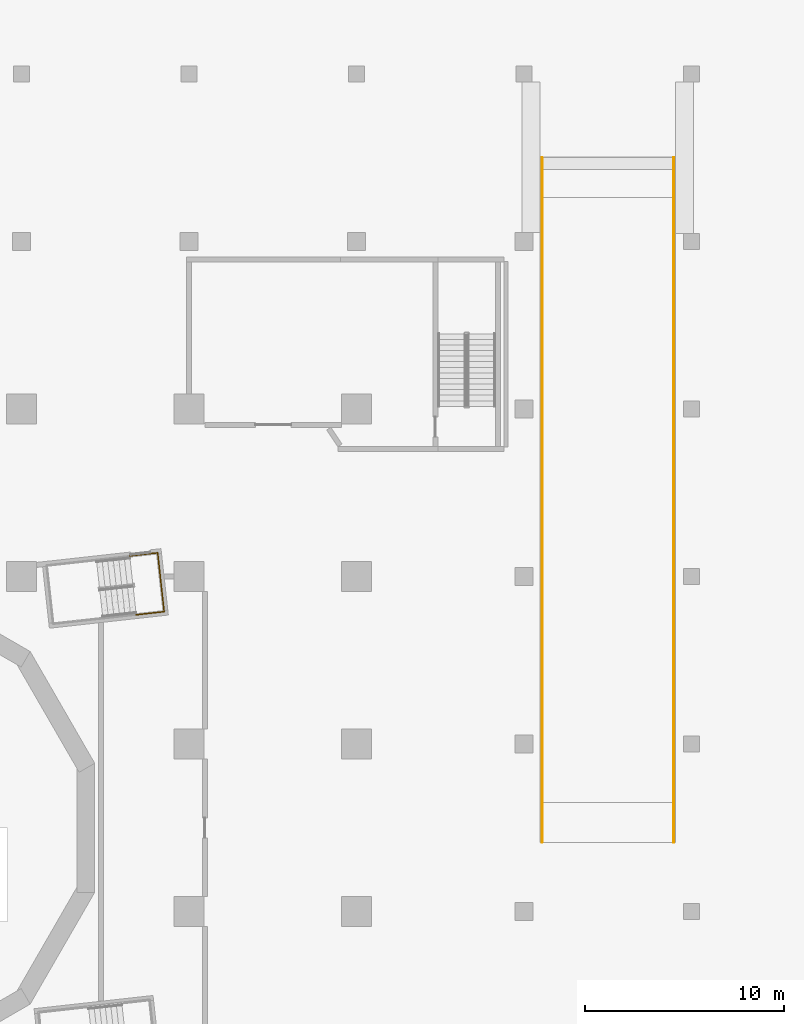
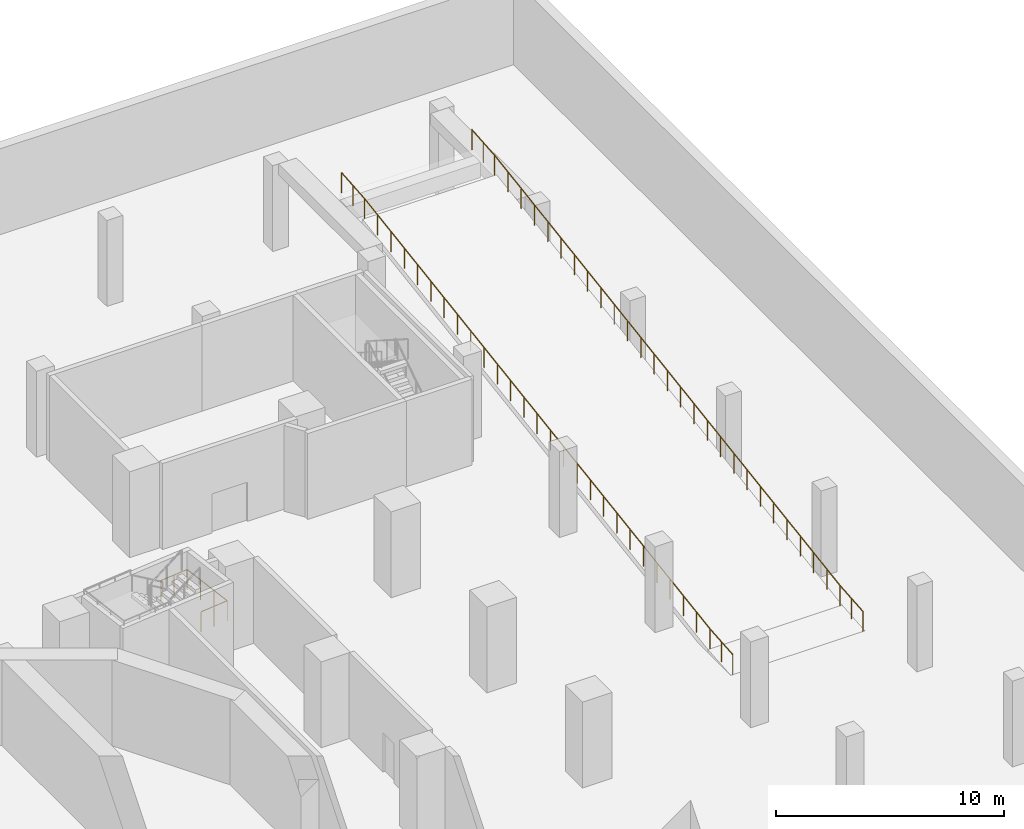
# One storey, part 18 of 20: 3 railings.
"""IFC4 building model written with IfcOpenShell, lengths in metres."""

from ifc_helpers import new_model, si_unit, direction, frame, origin, origin_2d, place, context, subcontext, project, spatial, circle, extrude, material, type_object, element, save


model = new_model("IFC4")

# Units and contexts
model_context = context("Model", 3, precision=1e-05, world=origin(), true_north=direction((0.0, 1.0)))
body_context = subcontext(model_context, "Body", "Model", "MODEL_VIEW")
ifc_project = project(units=[si_unit("LENGTHUNIT", "METRE"), si_unit("AREAUNIT", "SQUARE_METRE"), si_unit("VOLUMEUNIT", "CUBIC_METRE"), si_unit("PLANEANGLEUNIT", "RADIAN"), si_unit("MASSUNIT", "GRAM", prefix="KILO")], contexts=[model_context])

# Site, building, storey
site_placement = place(None, origin())
site = spatial("IfcSite", under=ifc_project, at=site_placement, CompositionType="ELEMENT")
building_placement = place(site_placement, origin())
building = spatial("IfcBuilding", under=site, at=building_placement, Name="Cantera Rosa Tower", CompositionType="ELEMENT")
storey_placement = place(building_placement, frame((0.0, 0.0, -5.0)))
storey = spatial("IfcBuildingStorey", under=building, at=storey_placement, Name="B1", CompositionType="ELEMENT", Elevation=-5.0)

# Railings
ifc_material_1 = material(Name="Steel S355J2 (EN 10025-2)", Category="steel")
railing_type_1 = type_object("IfcRailingType", Name="Ramp guard 1100", PredefinedType="GUARDRAIL", material=ifc_material_1)
railing_1_placement = place(storey_placement, frame((34.5, -0.7333984375, 0.0)))
element("IfcRailing", 1, at=railing_1_placement, inside=storey, type_object=railing_type_1, Name="Ramp guard RP1a", PredefinedType="GUARDRAIL", context=body_context, shape_type="SweptSolid", body=[
    extrude(circle(Radius=0.02392578125, at=origin_2d()), frame((0.0, 0.0, 1.076171875), z_axis=(0.0, 0.996542401618, 0.083085749549), x_axis=(-1.0, 0.0, 0.0)), (0.0, 0.0, 1.0), 2.0068359375),
    extrude(circle(Radius=0.02392578125, at=origin_2d()), frame((0.0, 2.0, 1.24267578125), z_axis=(0.0, 0.988372617282, 0.152051206532), x_axis=(-1.0, 0.0, 0.0)), (0.0, 0.0, 1.0), 30.6904296875),
    extrude(circle(Radius=0.02392578125, at=origin_2d()), frame((0.0, 32.33349609375, 5.9091796875), z_axis=(0.0, 0.996542401618, 0.083085749549), x_axis=(-1.0, 0.0, 0.0)), (0.0, 0.0, 1.0), 2.0068359375),
    extrude(circle(Radius=0.02099609375, at=origin_2d()), origin(), (0.0, 0.0, 1.0), 1.052001953125),
    extrude(circle(Radius=0.02099609375, at=origin_2d()), frame((0.0, 1.0, 0.08349609375)), (0.0, 0.0, 1.0), 1.052001953125),
    extrude(circle(Radius=0.02099609375, at=origin_2d()), frame((0.0, 2.0, 0.166748046875)), (0.0, 0.0, 1.0), 1.052001953125),
    extrude(circle(Radius=0.02099609375, at=origin_2d()), frame((0.0, 3.166748046875, 0.34619140625)), (0.0, 0.0, 1.0), 1.052001953125),
    extrude(circle(Radius=0.02099609375, at=origin_2d()), frame((0.0, 4.333251953125, 0.525634765625)), (0.0, 0.0, 1.0), 1.052001953125),
    extrude(circle(Radius=0.02099609375, at=origin_2d()), frame((0.0, 5.5, 0.705078125)), (0.0, 0.0, 1.0), 1.052001953125),
    extrude(circle(Radius=0.02099609375, at=origin_2d()), frame((0.0, 6.666748046875, 0.884765625)), (0.0, 0.0, 1.0), 1.052001953125),
    extrude(circle(Radius=0.02099609375, at=origin_2d()), frame((0.0, 7.833251953125, 1.064208984375)), (0.0, 0.0, 1.0), 1.052001953125),
    extrude(circle(Radius=0.02099609375, at=origin_2d()), frame((0.0, 9.0, 1.24365234375)), (0.0, 0.0, 1.0), 1.052001953125),
    extrude(circle(Radius=0.02099609375, at=origin_2d()), frame((0.0, 10.166748046875, 1.423095703125)), (0.0, 0.0, 1.0), 1.052001953125),
    extrude(circle(Radius=0.02099609375, at=origin_2d()), frame((0.0, 11.33349609375, 1.6025390625)), (0.0, 0.0, 1.0), 1.052001953125),
    extrude(circle(Radius=0.02099609375, at=origin_2d()), frame((0.0, 12.5, 1.781982421875)), (0.0, 0.0, 1.0), 1.052001953125),
    extrude(circle(Radius=0.02099609375, at=origin_2d()), frame((0.0, 13.666748046875, 1.961669921875)), (0.0, 0.0, 1.0), 1.052001953125),
    extrude(circle(Radius=0.02099609375, at=origin_2d()), frame((0.0, 14.83349609375, 2.14111328125)), (0.0, 0.0, 1.0), 1.052001953125),
    extrude(circle(Radius=0.02099609375, at=origin_2d()), frame((0.0, 16.0, 2.320556640625)), (0.0, 0.0, 1.0), 1.052001953125),
    extrude(circle(Radius=0.02099609375, at=origin_2d()), frame((0.0, 17.166748046875, 2.5)), (0.0, 0.0, 1.0), 1.052001953125),
    extrude(circle(Radius=0.02099609375, at=origin_2d()), frame((0.0, 18.33349609375, 2.679443359375)), (0.0, 0.0, 1.0), 1.052001953125),
    extrude(circle(Radius=0.02099609375, at=origin_2d()), frame((0.0, 19.5, 2.85888671875)), (0.0, 0.0, 1.0), 1.052001953125),
    extrude(circle(Radius=0.02099609375, at=origin_2d()), frame((0.0, 20.666748046875, 3.038330078125)), (0.0, 0.0, 1.0), 1.052001953125),
    extrude(circle(Radius=0.02099609375, at=origin_2d()), frame((0.0, 21.83349609375, 3.218017578125)), (0.0, 0.0, 1.0), 1.052001953125),
    extrude(circle(Radius=0.02099609375, at=origin_2d()), frame((0.0, 23.0, 3.3974609375)), (0.0, 0.0, 1.0), 1.052001953125),
    extrude(circle(Radius=0.02099609375, at=origin_2d()), frame((0.0, 24.166748046875, 3.576904296875)), (0.0, 0.0, 1.0), 1.052001953125),
    extrude(circle(Radius=0.02099609375, at=origin_2d()), frame((0.0, 25.33349609375, 3.75634765625)), (0.0, 0.0, 1.0), 1.052001953125),
    extrude(circle(Radius=0.02099609375, at=origin_2d()), frame((0.0, 26.500244140625, 3.935791015625)), (0.0, 0.0, 1.0), 1.052001953125),
    extrude(circle(Radius=0.02099609375, at=origin_2d()), frame((0.0, 27.666748046875, 4.115234375)), (0.0, 0.0, 1.0), 1.052001953125),
    extrude(circle(Radius=0.02099609375, at=origin_2d()), frame((0.0, 28.83349609375, 4.294921875)), (0.0, 0.0, 1.0), 1.052001953125),
    extrude(circle(Radius=0.02099609375, at=origin_2d()), frame((0.0, 30.000244140625, 4.474365234375)), (0.0, 0.0, 1.0), 1.052001953125),
    extrude(circle(Radius=0.02099609375, at=origin_2d()), frame((0.0, 31.166748046875, 4.65380859375)), (0.0, 0.0, 1.0), 1.052001953125),
    extrude(circle(Radius=0.02099609375, at=origin_2d()), frame((0.0, 32.33349609375, 4.833251953125)), (0.0, 0.0, 1.0), 1.052001953125),
    extrude(circle(Radius=0.02099609375, at=origin_2d()), frame((0.0, 33.33349609375, 4.91650390625)), (0.0, 0.0, 1.0), 1.052001953125),
    extrude(circle(Radius=0.02099609375, at=origin_2d()), frame((0.0, 34.33349609375, 5.0)), (0.0, 0.0, 1.0), 1.052001953125),
])
railing_2_placement = place(storey_placement, frame((41.10009765625, -0.7333984375, 0.0)))
element("IfcRailing", 2, at=railing_2_placement, inside=storey, type_object=railing_type_1, Name="Ramp guard RP1b", PredefinedType="GUARDRAIL", context=body_context, shape_type="SweptSolid", body=[
    extrude(circle(Radius=0.02392578125, at=origin_2d()), frame((0.0, 0.0, 1.076171875), z_axis=(0.0, 0.996542401618, 0.083085749549), x_axis=(-1.0, 0.0, 0.0)), (0.0, 0.0, 1.0), 2.0068359375),
    extrude(circle(Radius=0.02392578125, at=origin_2d()), frame((0.0, 2.0, 1.24267578125), z_axis=(0.0, 0.988372617282, 0.152051206532), x_axis=(-1.0, 0.0, 0.0)), (0.0, 0.0, 1.0), 30.6904296875),
    extrude(circle(Radius=0.02392578125, at=origin_2d()), frame((0.0, 32.33349609375, 5.9091796875), z_axis=(0.0, 0.996542401618, 0.083085749549), x_axis=(-1.0, 0.0, 0.0)), (0.0, 0.0, 1.0), 2.0068359375),
    extrude(circle(Radius=0.02099609375, at=origin_2d()), origin(), (0.0, 0.0, 1.0), 1.052001953125),
    extrude(circle(Radius=0.02099609375, at=origin_2d()), frame((0.0, 1.0, 0.08349609375)), (0.0, 0.0, 1.0), 1.052001953125),
    extrude(circle(Radius=0.02099609375, at=origin_2d()), frame((0.0, 2.0, 0.166748046875)), (0.0, 0.0, 1.0), 1.052001953125),
    extrude(circle(Radius=0.02099609375, at=origin_2d()), frame((0.0, 3.166748046875, 0.34619140625)), (0.0, 0.0, 1.0), 1.052001953125),
    extrude(circle(Radius=0.02099609375, at=origin_2d()), frame((0.0, 4.333251953125, 0.525634765625)), (0.0, 0.0, 1.0), 1.052001953125),
    extrude(circle(Radius=0.02099609375, at=origin_2d()), frame((0.0, 5.5, 0.705078125)), (0.0, 0.0, 1.0), 1.052001953125),
    extrude(circle(Radius=0.02099609375, at=origin_2d()), frame((0.0, 6.666748046875, 0.884765625)), (0.0, 0.0, 1.0), 1.052001953125),
    extrude(circle(Radius=0.02099609375, at=origin_2d()), frame((0.0, 7.833251953125, 1.064208984375)), (0.0, 0.0, 1.0), 1.052001953125),
    extrude(circle(Radius=0.02099609375, at=origin_2d()), frame((0.0, 9.0, 1.24365234375)), (0.0, 0.0, 1.0), 1.052001953125),
    extrude(circle(Radius=0.02099609375, at=origin_2d()), frame((0.0, 10.166748046875, 1.423095703125)), (0.0, 0.0, 1.0), 1.052001953125),
    extrude(circle(Radius=0.02099609375, at=origin_2d()), frame((0.0, 11.33349609375, 1.6025390625)), (0.0, 0.0, 1.0), 1.052001953125),
    extrude(circle(Radius=0.02099609375, at=origin_2d()), frame((0.0, 12.5, 1.781982421875)), (0.0, 0.0, 1.0), 1.052001953125),
    extrude(circle(Radius=0.02099609375, at=origin_2d()), frame((0.0, 13.666748046875, 1.961669921875)), (0.0, 0.0, 1.0), 1.052001953125),
    extrude(circle(Radius=0.02099609375, at=origin_2d()), frame((0.0, 14.83349609375, 2.14111328125)), (0.0, 0.0, 1.0), 1.052001953125),
    extrude(circle(Radius=0.02099609375, at=origin_2d()), frame((0.0, 16.0, 2.320556640625)), (0.0, 0.0, 1.0), 1.052001953125),
    extrude(circle(Radius=0.02099609375, at=origin_2d()), frame((0.0, 17.166748046875, 2.5)), (0.0, 0.0, 1.0), 1.052001953125),
    extrude(circle(Radius=0.02099609375, at=origin_2d()), frame((0.0, 18.33349609375, 2.679443359375)), (0.0, 0.0, 1.0), 1.052001953125),
    extrude(circle(Radius=0.02099609375, at=origin_2d()), frame((0.0, 19.5, 2.85888671875)), (0.0, 0.0, 1.0), 1.052001953125),
    extrude(circle(Radius=0.02099609375, at=origin_2d()), frame((0.0, 20.666748046875, 3.038330078125)), (0.0, 0.0, 1.0), 1.052001953125),
    extrude(circle(Radius=0.02099609375, at=origin_2d()), frame((0.0, 21.83349609375, 3.218017578125)), (0.0, 0.0, 1.0), 1.052001953125),
    extrude(circle(Radius=0.02099609375, at=origin_2d()), frame((0.0, 23.0, 3.3974609375)), (0.0, 0.0, 1.0), 1.052001953125),
    extrude(circle(Radius=0.02099609375, at=origin_2d()), frame((0.0, 24.166748046875, 3.576904296875)), (0.0, 0.0, 1.0), 1.052001953125),
    extrude(circle(Radius=0.02099609375, at=origin_2d()), frame((0.0, 25.33349609375, 3.75634765625)), (0.0, 0.0, 1.0), 1.052001953125),
    extrude(circle(Radius=0.02099609375, at=origin_2d()), frame((0.0, 26.500244140625, 3.935791015625)), (0.0, 0.0, 1.0), 1.052001953125),
    extrude(circle(Radius=0.02099609375, at=origin_2d()), frame((0.0, 27.666748046875, 4.115234375)), (0.0, 0.0, 1.0), 1.052001953125),
    extrude(circle(Radius=0.02099609375, at=origin_2d()), frame((0.0, 28.83349609375, 4.294921875)), (0.0, 0.0, 1.0), 1.052001953125),
    extrude(circle(Radius=0.02099609375, at=origin_2d()), frame((0.0, 30.000244140625, 4.474365234375)), (0.0, 0.0, 1.0), 1.052001953125),
    extrude(circle(Radius=0.02099609375, at=origin_2d()), frame((0.0, 31.166748046875, 4.65380859375)), (0.0, 0.0, 1.0), 1.052001953125),
    extrude(circle(Radius=0.02099609375, at=origin_2d()), frame((0.0, 32.33349609375, 4.833251953125)), (0.0, 0.0, 1.0), 1.052001953125),
    extrude(circle(Radius=0.02099609375, at=origin_2d()), frame((0.0, 33.33349609375, 4.91650390625)), (0.0, 0.0, 1.0), 1.052001953125),
    extrude(circle(Radius=0.02099609375, at=origin_2d()), frame((0.0, 34.33349609375, 5.0)), (0.0, 0.0, 1.0), 1.052001953125),
])
ifc_material_2 = material(Name="Steel S355J2 (EN 10025-2)", Category="steel")
railing_type_2 = type_object("IfcRailingType", Name="STAIR GUARD 1100", PredefinedType="GUARDRAIL", material=ifc_material_2)
railing_3_placement = place(storey_placement, frame((13.815673828125, 13.629150390625, 2.5)))
element("IfcRailing", 3, at=railing_3_placement, inside=storey, type_object=railing_type_2, Name="B1 ST-11 stair guard 8", PredefinedType="GUARDRAIL", context=body_context, shape_type="SweptSolid", body=[
    extrude(circle(Radius=0.02392578125, at=origin_2d()), frame((0.0, 0.0, 1.076171875), z_axis=(0.993906744489, 0.110224240795, 0.0), x_axis=(-0.110224240795, 0.993906744489, 0.0)), (0.0, 0.0, 1.0), 1.421875),
    extrude(circle(Radius=0.02392578125, at=origin_2d()), frame((1.413330078125, 0.15673828125, 1.076171875), z_axis=(0.110314237986, -0.993896759678, 0.0), x_axis=(0.993896759678, 0.110314237986, 0.0)), (0.0, 0.0, 1.0), 2.969970703125),
    extrude(circle(Radius=0.02392578125, at=origin_2d()), frame((1.740966796875, -2.795166015625, 1.076171875), z_axis=(-0.993906744489, -0.110224240795, 0.0), x_axis=(0.110224240795, -0.993906744489, 0.0)), (0.0, 0.0, 1.0), 1.421875),
    extrude(circle(Radius=0.02099609375, at=origin_2d()), origin(), (0.0, 0.0, 1.0), 1.052001953125),
    extrude(circle(Radius=0.02099609375, at=origin_2d()), frame((0.70654296875, 0.078369140625, 0.0)), (0.0, 0.0, 1.0), 1.052001953125),
    extrude(circle(Radius=0.02099609375, at=origin_2d()), frame((1.413330078125, 0.15673828125, 0.0)), (0.0, 0.0, 1.0), 1.052001953125),
    extrude(circle(Radius=0.02099609375, at=origin_2d()), frame((1.5224609375, -0.8271484375, 0.0)), (0.0, 0.0, 1.0), 1.052001953125),
    extrude(circle(Radius=0.02099609375, at=origin_2d()), frame((1.6318359375, -1.811279296875, 0.0)), (0.0, 0.0, 1.0), 1.052001953125),
    extrude(circle(Radius=0.02099609375, at=origin_2d()), frame((1.740966796875, -2.795166015625, 0.0)), (0.0, 0.0, 1.0), 1.052001953125),
    extrude(circle(Radius=0.02099609375, at=origin_2d()), frame((1.0341796875, -2.87353515625, 0.0)), (0.0, 0.0, 1.0), 1.052001953125),
    extrude(circle(Radius=0.02099609375, at=origin_2d()), frame((0.32763671875, -2.951904296875, 0.0)), (0.0, 0.0, 1.0), 1.052001953125),
])

save(model, "model.ifc")
